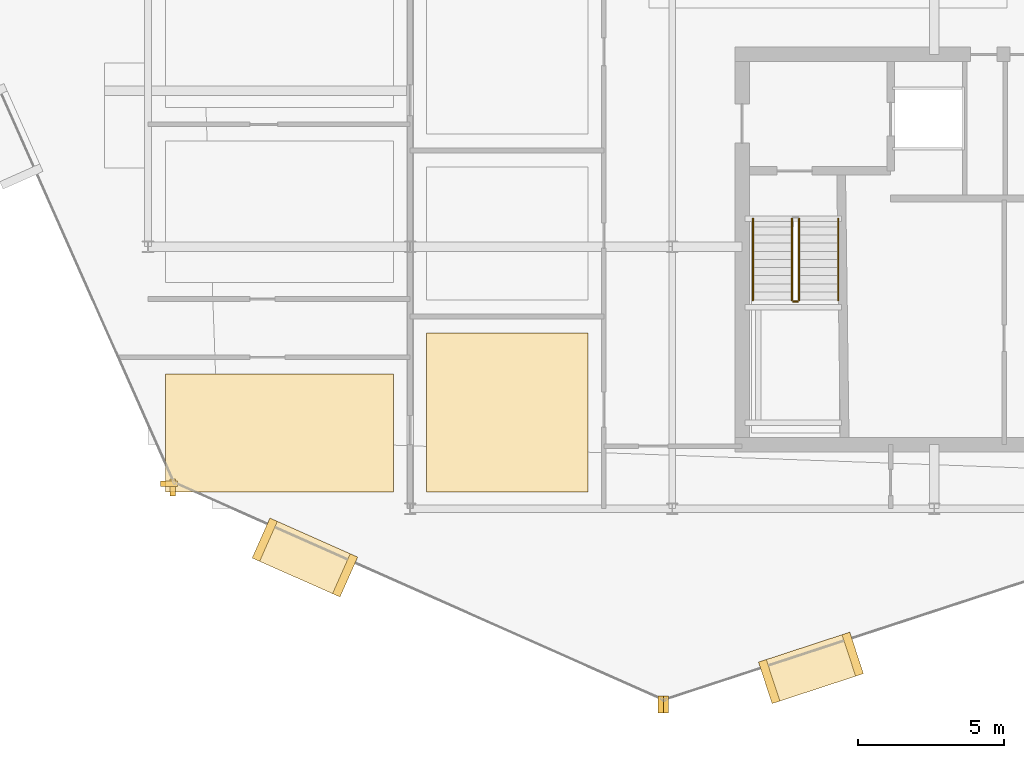
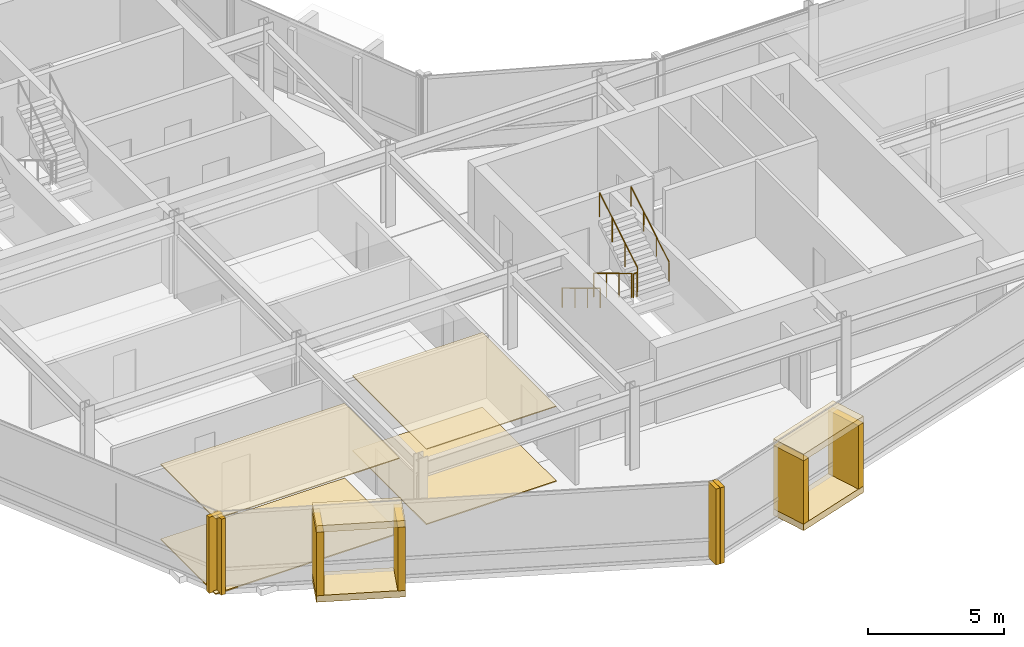
# One storey, part 23 of 28: 16 coverings, 5 railings.
"""IFC4 building model written with IfcOpenShell, lengths in metres."""

from ifc_helpers import new_model, si_unit, direction, frame, origin, origin_2d, place, context, subcontext, project, spatial, polyline, rectangle, circle, outline, extrude, material, layer, layer_set, type_object, element, save


model = new_model("IFC4")

# Units and contexts
model_context = context("Model", 3, precision=1e-05, world=origin(), true_north=direction((0.0, 1.0)))
body_context = subcontext(model_context, "Body", "Model", "MODEL_VIEW")
ifc_project = project(units=[si_unit("LENGTHUNIT", "METRE"), si_unit("AREAUNIT", "SQUARE_METRE"), si_unit("VOLUMEUNIT", "CUBIC_METRE"), si_unit("PLANEANGLEUNIT", "RADIAN"), si_unit("MASSUNIT", "GRAM", prefix="KILO")], contexts=[model_context])

# Site, building, storey
site_placement = place(None, origin())
site = spatial("IfcSite", under=ifc_project, at=site_placement, CompositionType="ELEMENT")
building_placement = place(site_placement, origin())
building = spatial("IfcBuilding", under=site, at=building_placement, Name="Solvaryn Broadcast Tower", CompositionType="ELEMENT")
storey_placement = place(building_placement, frame((0.0, 0.0, 213.60009765625)))
storey = spatial("IfcBuildingStorey", under=building, at=storey_placement, Name="L53", CompositionType="ELEMENT", Elevation=213.60009765625)

# Coverings
ifc_material_1 = material(Name="Micro-Perforated Acoustic Gypsum Ceiling", Category="concrete")
ifc_layer_1 = layer(ifc_material_1, 0.0400390625)
ifc_layer_set_1 = layer_set([ifc_layer_1], Name="CV-CEIL-ACOUSTIC")
covering_type_1 = type_object("IfcCoveringType", Name="CV-CEIL-ACOUSTIC", PredefinedType="CEILING", material=ifc_layer_set_1)
covering_1_placement = place(storey_placement, frame((0.0, 0.0, 3.3798828125)))
element("IfcCovering", 1, at=covering_1_placement, inside=storey, type_object=covering_type_1, Name="L53 Room Acoustic Ceiling 1", PredefinedType="CEILING", context=body_context, shape_type="SweptSolid", body=[
    extrude(outline(polyline([(18.570068359375, 9.570068359375), (24.10009765625, 9.570068359375), (24.10009765625, 15.030029296875), (18.570068359375, 15.030029296875), (18.570068359375, 9.570068359375)])), origin(), (0.0, 0.0, 1.0), 0.0400390625),
])
covering_2_placement = place(storey_placement, frame((0.0, 0.0, 3.3798828125)))
element("IfcCovering", 2, at=covering_2_placement, inside=storey, type_object=covering_type_1, Name="L53 Room Acoustic Ceiling 4", PredefinedType="CEILING", context=body_context, shape_type="SweptSolid", body=[
    extrude(outline(polyline([(9.60009765625, 9.570068359375), (17.429931640625, 9.570068359375), (17.429931640625, 13.6298828125), (9.60009765625, 13.6298828125), (9.60009765625, 9.570068359375)])), origin(), (0.0, 0.0, 1.0), 0.0400390625),
])
ifc_material_2 = material(Name="Newsroom Raised Data Access Flooring", Category="steel")
ifc_layer_2 = layer(ifc_material_2, 0.050048828125)
ifc_layer_set_2 = layer_set([ifc_layer_2], Name="CV-FLOOR-RAISED")
covering_type_2 = type_object("IfcCoveringType", Name="CV-FLOOR-RAISED", PredefinedType="FLOORING", material=ifc_layer_set_2)
covering_3_placement = place(storey_placement, origin())
element("IfcCovering", 3, at=covering_3_placement, inside=storey, type_object=covering_type_2, Name="L53 Room Acoustic Floor Finish 1", PredefinedType="FLOORING", context=body_context, shape_type="SweptSolid", body=[
    extrude(outline(polyline([(18.570068359375, 9.570068359375), (24.10009765625, 9.570068359375), (24.10009765625, 15.030029296875), (18.570068359375, 15.030029296875), (18.570068359375, 9.570068359375)])), origin(), (0.0, 0.0, 1.0), 0.0498046875),
])
covering_4_placement = place(storey_placement, origin())
element("IfcCovering", 4, at=covering_4_placement, inside=storey, type_object=covering_type_2, Name="L53 Room Acoustic Floor Finish 4", PredefinedType="FLOORING", context=body_context, shape_type="SweptSolid", body=[
    extrude(outline(polyline([(9.60009765625, 9.570068359375), (17.429931640625, 9.570068359375), (17.429931640625, 13.6298828125), (9.60009765625, 13.6298828125), (9.60009765625, 9.570068359375)])), origin(), (0.0, 0.0, 1.0), 0.0498046875),
])
ifc_material_3 = material(Name="Glazed Architectural Terracotta Rainscreen Cladding", Category="masonry")
ifc_layer_3 = layer(ifc_material_3, 0.280029296875)
ifc_layer_set_3 = layer_set([ifc_layer_3], Name="CV-TC-CLAD")
covering_type_3 = type_object("IfcCoveringType", Name="CV-TC-CLAD", PredefinedType="CLADDING", material=ifc_layer_set_3)
for number, where, z_axis, x_axis, name in (
    (5, (14.388916015625, 7.322998046875, 3.1298828125), (0.0, 0.0, 1.0), (0.913900054426, -0.405939269498, 0.0), "L53 Projecting Stone Window Box Hood 3"),
    (6, (14.388916015625, 7.322998046875, -0.01025390625), (0.0, 0.0, 1.0), (0.913900054426, -0.405939269498, 0.0), "L53 Projecting Stone Window Box Sill 3"),
):
    element("IfcCovering", number, at=place(storey_placement, frame(where, z_axis=z_axis, x_axis=x_axis)), inside=storey, type_object=covering_type_3, Name=name, PredefinedType="CLADDING", context=body_context, shape_type="SweptSolid", body=[
        extrude(rectangle(XDim=3.300048828125, YDim=1.5, at=origin_2d()), origin(), (0.0, 0.0, 1.0), 0.300048828125),
    ])
for number, where, z_axis, x_axis, name in (
    (7, (13.009033203125, 7.93603515625, 0.27978515625), (0.0, 0.0, 1.0), (0.913900054426, -0.405939269498, 0.0), "L53 Projecting Stone Window Box Cheek 3-1"),
    (8, (15.76904296875, 6.7099609375, 0.27978515625), (0.0, 0.0, 1.0), (0.913900054426, -0.405939269498, 0.0), "L53 Projecting Stone Window Box Cheek 3-2"),
):
    element("IfcCovering", number, at=place(storey_placement, frame(where, z_axis=z_axis, x_axis=x_axis)), inside=storey, type_object=covering_type_3, Name=name, PredefinedType="CLADDING", context=body_context, shape_type="SweptSolid", body=[
        extrude(rectangle(XDim=0.280029296875, YDim=1.5, at=origin_2d()), origin(), (0.0, 0.0, 1.0), 2.860107421875),
    ])
for number, where, z_axis, x_axis, name in (
    (9, (31.763916015625, 3.533935546875, 3.1298828125), (0.0, 0.0, 1.0), (0.950244253402, 0.311505792684, 0.0), "L53 Projecting Stone Window Box Hood 4"),
    (10, (31.763916015625, 3.533935546875, -0.01025390625), (0.0, 0.0, 1.0), (0.950244253402, 0.311505792684, 0.0), "L53 Projecting Stone Window Box Sill 4"),
):
    element("IfcCovering", number, at=place(storey_placement, frame(where, z_axis=z_axis, x_axis=x_axis)), inside=storey, type_object=covering_type_3, Name=name, PredefinedType="CLADDING", context=body_context, shape_type="SweptSolid", body=[
        extrude(rectangle(XDim=3.300048828125, YDim=1.5, at=origin_2d()), origin(), (0.0, 0.0, 1.0), 0.300048828125),
    ])
for number, where, z_axis, x_axis, name in (
    (11, (30.3291015625, 3.063720703125, 0.27978515625), (0.0, 0.0, 1.0), (0.950244253402, 0.311505792684, 0.0), "L53 Projecting Stone Window Box Cheek 4-1"),
    (12, (33.198974609375, 4.00439453125, 0.27978515625), (0.0, 0.0, 1.0), (0.950244253402, 0.311505792684, 0.0), "L53 Projecting Stone Window Box Cheek 4-2"),
):
    element("IfcCovering", number, at=place(storey_placement, frame(where, z_axis=z_axis, x_axis=x_axis)), inside=storey, type_object=covering_type_3, Name=name, PredefinedType="CLADDING", context=body_context, shape_type="SweptSolid", body=[
        extrude(rectangle(XDim=0.280029296875, YDim=1.5, at=origin_2d()), origin(), (0.0, 0.0, 1.0), 2.860107421875),
    ])
ifc_material_4 = material(Name="Extruded Architectural Terracotta Fin", Category="masonry")
ifc_layer_4 = layer(ifc_material_4, 0.179931640625)
ifc_layer_set_4 = layer_set([ifc_layer_4], Name="CV-TC-FIN")
covering_type_4 = type_object("IfcCoveringType", Name="CV-TC-FIN", PredefinedType="USERDEFINED", material=ifc_layer_set_4)
covering_5_placement = place(storey_placement, frame((9.7216796875, 9.852783203125, 0.0), z_axis=(0.0, 0.0, 1.0), x_axis=(1.0, 0.0, 0.0)))
element("IfcCovering", 13, at=covering_5_placement, inside=storey, type_object=covering_type_4, Name="L53 Terracotta Vertical Fin FIN-L53-DR2-M01", ObjectType="FIN", PredefinedType="USERDEFINED", context=body_context, shape_type="SweptSolid", body=[
    extrude(rectangle(XDim=0.580078125, YDim=0.179931640625, at=origin_2d()), origin(), (0.0, 0.0, 1.0), 3.419921875),
])
for number, where, z_axis, x_axis, name in (
    (14, (9.852783203125, 9.7216796875, 0.0), (0.0, 0.0, 1.0), (1.0, 0.0, 0.0), "L53 Terracotta Vertical Fin FIN-L53-DR3-M00"),
    (15, (26.605712890625, 2.281005859375, 0.0), (0.0, 0.0, 1.0), (1.0, 0.0, 0.0), "L53 Terracotta Vertical Fin FIN-L53-DR3-M01"),
    (16, (26.790771484375, 2.271240234375, 0.0), (0.0, 0.0, 1.0), (1.0, 0.0, 0.0), "L53 Terracotta Vertical Fin FIN-L53-DR4-M00"),
):
    element("IfcCovering", number, at=place(storey_placement, frame(where, z_axis=z_axis, x_axis=x_axis)), inside=storey, type_object=covering_type_4, Name=name, ObjectType="FIN", PredefinedType="USERDEFINED", context=body_context, shape_type="SweptSolid", body=[
        extrude(rectangle(XDim=0.179931640625, YDim=0.580078125, at=origin_2d()), origin(), (0.0, 0.0, 1.0), 3.419921875),
    ])

# Railings
ifc_material_5 = material(Name="Painted Steel Stair Well Guard", Category="steel")
railing_type_1 = type_object("IfcRailingType", Name="RL-STAIR-GUARD", PredefinedType="BALUSTRADE", material=ifc_material_5)
railing_1_placement = place(storey_placement, frame((31.110107421875, 18.9599609375, 0.16796875)))
element("IfcRailing", 17, at=railing_1_placement, inside=storey, type_object=railing_type_1, Name="L53 ST3 stair guard 1", PredefinedType="BALUSTRADE", context=body_context, shape_type="SweptSolid", body=[
    extrude(circle(Radius=0.02392578125, at=origin_2d()), frame((0.0, 0.0, 1.076171875), z_axis=(0.0, -0.857242210791, 0.514913383045), x_axis=(1.0, 0.0, 0.0)), (0.0, 0.0, 1.0), 3.266357421875),
    extrude(circle(Radius=0.02099609375, at=origin_2d()), origin(), (0.0, 0.0, 1.0), 1.052001953125),
    extrude(circle(Radius=0.02099609375, at=origin_2d()), frame((0.0, -0.933349609375, 0.560546875)), (0.0, 0.0, 1.0), 1.052001953125),
    extrude(circle(Radius=0.02099609375, at=origin_2d()), frame((0.0, -1.86669921875, 1.121337890625)), (0.0, 0.0, 1.0), 1.052001953125),
    extrude(circle(Radius=0.02099609375, at=origin_2d()), frame((0.0, -2.800048828125, 1.681884765625)), (0.0, 0.0, 1.0), 1.052001953125),
])
railing_2_placement = place(storey_placement, frame((31.159912109375, 16.110107421875, 1.849853515625)))
element("IfcRailing", 18, at=railing_2_placement, inside=storey, type_object=railing_type_1, Name="L53 ST3 stair guard 2", PredefinedType="BALUSTRADE", context=body_context, shape_type="SweptSolid", body=[
    extrude(circle(Radius=0.02392578125, at=origin_2d()), frame((0.0, 0.0, 1.076171875), z_axis=(1.0, 0.0, 0.0), x_axis=(0.0, 1.0, 0.0)), (0.0, 0.0, 1.0), 0.150146484375),
    extrude(circle(Radius=0.02099609375, at=origin_2d()), origin(), (0.0, 0.0, 1.0), 1.052001953125),
    extrude(circle(Radius=0.02099609375, at=origin_2d()), frame((0.150146484375, 0.0, 0.0)), (0.0, 0.0, 1.0), 1.052001953125),
])
railing_3_placement = place(storey_placement, frame((31.360107421875, 16.159912109375, 2.01806640625)))
element("IfcRailing", 19, at=railing_3_placement, inside=storey, type_object=railing_type_1, Name="L53 ST3 stair guard 3", PredefinedType="BALUSTRADE", context=body_context, shape_type="SweptSolid", body=[
    extrude(circle(Radius=0.02392578125, at=origin_2d()), frame((0.0, 0.0, 1.076171875), z_axis=(0.0, 0.857242210791, 0.514913383045), x_axis=(-1.0, 0.0, 0.0)), (0.0, 0.0, 1.0), 3.266357421875),
    extrude(circle(Radius=0.02099609375, at=origin_2d()), origin(), (0.0, 0.0, 1.0), 1.052001953125),
    extrude(circle(Radius=0.02099609375, at=origin_2d()), frame((0.0, 0.933349609375, 0.560546875)), (0.0, 0.0, 1.0), 1.052001953125),
    extrude(circle(Radius=0.02099609375, at=origin_2d()), frame((0.0, 1.86669921875, 1.121337890625)), (0.0, 0.0, 1.0), 1.052001953125),
    extrude(circle(Radius=0.02099609375, at=origin_2d()), frame((0.0, 2.800048828125, 1.681884765625)), (0.0, 0.0, 1.0), 1.052001953125),
])
ifc_material_6 = material(Name="Brushed Stainless Steel Tubular Handrail", Category="steel")
railing_type_2 = type_object("IfcRailingType", Name="RL-STAIR-HANDRAIL", PredefinedType="HANDRAIL", material=ifc_material_6)
railing_4_placement = place(storey_placement, frame((29.77001953125, 18.9599609375, 0.16796875)))
element("IfcRailing", 20, at=railing_4_placement, inside=storey, type_object=railing_type_2, Name="L53 ST3 stair handrail 1", PredefinedType="HANDRAIL", context=body_context, shape_type="SweptSolid", body=[
    extrude(circle(Radius=0.02392578125, at=origin_2d()), frame((0.0, 0.0, 0.8759765625), z_axis=(0.0, -0.857242210791, 0.514913383045), x_axis=(1.0, 0.0, 0.0)), (0.0, 0.0, 1.0), 3.266357421875),
    extrude(circle(Radius=0.02099609375, at=origin_2d()), origin(), (0.0, 0.0, 1.0), 0.851806640625),
    extrude(circle(Radius=0.02099609375, at=origin_2d()), frame((0.0, -0.933349609375, 0.560546875)), (0.0, 0.0, 1.0), 0.851806640625),
    extrude(circle(Radius=0.02099609375, at=origin_2d()), frame((0.0, -1.86669921875, 1.121337890625)), (0.0, 0.0, 1.0), 0.851806640625),
    extrude(circle(Radius=0.02099609375, at=origin_2d()), frame((0.0, -2.800048828125, 1.681884765625)), (0.0, 0.0, 1.0), 0.851806640625),
])
railing_5_placement = place(storey_placement, frame((32.699951171875, 16.159912109375, 2.01806640625)))
element("IfcRailing", 21, at=railing_5_placement, inside=storey, type_object=railing_type_2, Name="L53 ST3 stair handrail 2", PredefinedType="HANDRAIL", context=body_context, shape_type="SweptSolid", body=[
    extrude(circle(Radius=0.02392578125, at=origin_2d()), frame((0.0, 0.0, 0.8759765625), z_axis=(0.0, 0.857242210791, 0.514913383045), x_axis=(-1.0, 0.0, 0.0)), (0.0, 0.0, 1.0), 3.266357421875),
    extrude(circle(Radius=0.02099609375, at=origin_2d()), origin(), (0.0, 0.0, 1.0), 0.851806640625),
    extrude(circle(Radius=0.02099609375, at=origin_2d()), frame((0.0, 0.933349609375, 0.560546875)), (0.0, 0.0, 1.0), 0.851806640625),
    extrude(circle(Radius=0.02099609375, at=origin_2d()), frame((0.0, 1.86669921875, 1.121337890625)), (0.0, 0.0, 1.0), 0.851806640625),
    extrude(circle(Radius=0.02099609375, at=origin_2d()), frame((0.0, 2.800048828125, 1.681884765625)), (0.0, 0.0, 1.0), 0.851806640625),
])

save(model, "model.ifc")
